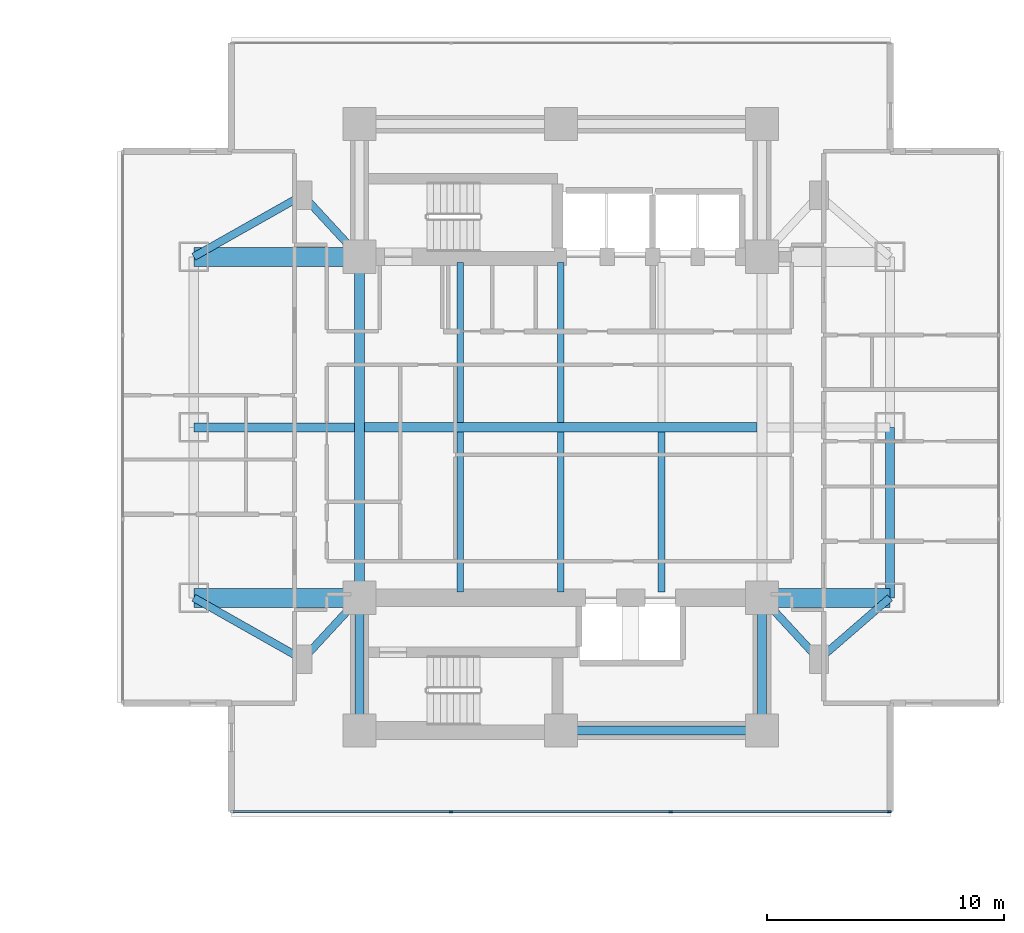
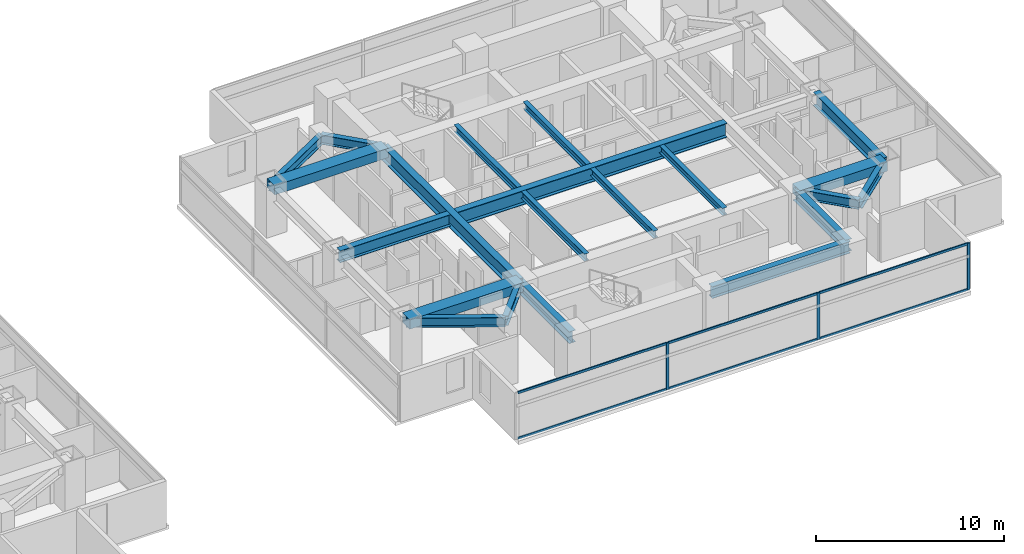
# One storey, part 9 of 25: 21 beams, 9 members, 1 element without a shape of its own.
"""IFC4 building model written with IfcOpenShell, lengths in metres."""

from ifc_helpers import new_model, si_unit, direction, frame, origin, origin_2d, place, context, subcontext, project, spatial, rectangle, i_section, extrude, material, material_profile, profile_set, type_object, element, aggregate, save


model = new_model("IFC4")

# Units and contexts
model_context = context("Model", 3, precision=1e-05, world=origin(), true_north=direction((0.0, 1.0)))
body_context = subcontext(model_context, "Body", "Model", "MODEL_VIEW")
ifc_project = project(units=[si_unit("LENGTHUNIT", "METRE"), si_unit("AREAUNIT", "SQUARE_METRE"), si_unit("VOLUMEUNIT", "CUBIC_METRE"), si_unit("PLANEANGLEUNIT", "RADIAN"), si_unit("MASSUNIT", "GRAM", prefix="KILO")], contexts=[model_context])

# Site, building, storey
site_placement = place(None, origin())
site = spatial("IfcSite", under=ifc_project, at=site_placement, CompositionType="ELEMENT")
building_placement = place(site_placement, origin())
building = spatial("IfcBuilding", under=site, at=building_placement, Name="Mirazonda Arch Towers", CompositionType="ELEMENT")
storey_placement = place(building_placement, frame((0.0, 0.0, 32.300048828125)))
storey = spatial("IfcBuildingStorey", under=building, at=storey_placement, Name="L08", CompositionType="ELEMENT", Elevation=32.300048828125)

# Beams
ifc_material_1 = material(Name="Steel ASTM A992 Grade 50", Category="steel")
ifc_material_profile_1 = material_profile(ifc_material_1, i_section(OverallWidth=0.39990234375, OverallDepth=0.85595703125, WebThickness=0.018310546875, FlangeThickness=0.029296875, at=origin_2d()), Name="W33X201")
ifc_profile_set_1 = profile_set([ifc_material_profile_1], Name="Steel ASTM A992 Grade 50")
beam_type_1 = type_object("IfcBeamType", Name="BM-EXT-W33X201", PredefinedType="USERDEFINED", material=ifc_profile_set_1)
beam_1_placement = place(storey_placement, frame((90.39990234375, 20.800048828125, 2.6318359375), z_axis=(0.0, 1.0, 0.0), x_axis=(-1.0, 0.0, 0.0)))
element("IfcBeam", 1, at=beam_1_placement, inside=storey, type_object=beam_type_1, Name="L08 Floor Beam BM-T2-L08-NS-E-20", ObjectType="GIRDER", PredefinedType="USERDEFINED", context=body_context, shape_type="SweptSolid", body=[
    extrude(i_section(OverallWidth=0.39990234375, OverallDepth=0.85595703125, WebThickness=0.018310546875, FlangeThickness=0.029296875, at=origin_2d()), origin(), (0.0, 0.0, 1.0), 7.199951171875),
])
ifc_material_profile_2 = material_profile(ifc_material_1, i_section(OverallWidth=0.280029296875, OverallDepth=0.462890625, WebThickness=0.0107421875, FlangeThickness=0.017333984375, at=origin_2d()), Name="W18X76")
ifc_profile_set_2 = profile_set([ifc_material_profile_2], Name="Steel ASTM A992 Grade 50")
beam_type_2 = type_object("IfcBeamType", Name="BM-INT-W18X76", PredefinedType="JOIST", material=ifc_profile_set_2)
for number, where, z_axis, x_axis, name in (
    (2, (72.25, 21.0400390625, 2.828369140625), (0.0, 1.0, 0.0), (-1.0, 0.0, 0.0), "L08 Floor Beam BM-T2-L08-J-722-20"),
    (3, (72.25, 28.205078125, 2.828369140625), (0.0, 1.0, 0.0), (-1.0, 0.0, 0.0), "L08 Floor Beam BM-T2-L08-J-722-28"),
    (4, (76.5, 21.0400390625, 2.828369140625), (0.0, 1.0, 0.0), (-1.0, 0.0, 0.0), "L08 Floor Beam BM-T2-L08-J-765-20"),
    (5, (76.5, 28.205078125, 2.828369140625), (0.0, 1.0, 0.0), (-1.0, 0.0, 0.0), "L08 Floor Beam BM-T2-L08-J-765-28"),
    (6, (80.75, 21.0400390625, 2.828369140625), (0.0, 1.0, 0.0), (-1.0, 0.0, 0.0), "L08 Floor Beam BM-T2-L08-J-807-20"),
):
    element("IfcBeam", number, at=place(storey_placement, frame(where, z_axis=z_axis, x_axis=x_axis)), inside=storey, type_object=beam_type_2, Name=name, PredefinedType="JOIST", context=body_context, shape_type="SweptSolid", body=[
        extrude(i_section(OverallWidth=0.280029296875, OverallDepth=0.462890625, WebThickness=0.0107421875, FlangeThickness=0.017333984375, at=origin_2d()), origin(), (0.0, 0.0, 1.0), 6.7548828125),
    ])
ifc_material_profile_3 = material_profile(ifc_material_1, i_section(OverallWidth=0.324951171875, OverallDepth=0.615966796875, WebThickness=0.013916015625, FlangeThickness=0.021484375, at=origin_2d()), Name="W24X117")
ifc_profile_set_3 = profile_set([ifc_material_profile_3], Name="Steel ASTM A992 Grade 50")
beam_type_3 = type_object("IfcBeamType", Name="BM-INT-W24X117", PredefinedType="BEAM", material=ifc_profile_set_3)
beam_2_placement = place(storey_placement, frame((65.60009765625, 18.199951171875, 2.751953125), z_axis=(0.678251444854, 0.734829897019, 0.0), x_axis=(-0.734829897019, 0.678251444854, 0.0)))
element("IfcBeam", 7, at=beam_2_placement, inside=storey, type_object=beam_type_3, Name="L08 Floor Beam BM-T2-L08-PL-SW1", PredefinedType="BEAM", context=body_context, shape_type="SweptSolid", body=[
    extrude(i_section(OverallWidth=0.324951171875, OverallDepth=0.615966796875, WebThickness=0.013916015625, FlangeThickness=0.021484375, at=origin_2d()), origin(), (0.0, 0.0, 1.0), 3.538330078125),
])
beam_3_placement = place(storey_placement, frame((65.60009765625, 18.199951171875, 2.751953125), z_axis=(-0.870559396632, 0.492063346467, 0.0), x_axis=(-0.492063346467, -0.870559396632, 0.0)))
element("IfcBeam", 8, at=beam_3_placement, inside=storey, type_object=beam_type_3, Name="L08 Floor Beam BM-T2-L08-PL-SW2", PredefinedType="BEAM", context=body_context, shape_type="SweptSolid", body=[
    extrude(i_section(OverallWidth=0.324951171875, OverallDepth=0.615966796875, WebThickness=0.013916015625, FlangeThickness=0.021484375, at=origin_2d()), origin(), (0.0, 0.0, 1.0), 5.2841796875),
])
beam_4_placement = place(storey_placement, frame((87.39990234375, 18.199951171875, 2.751953125), z_axis=(-0.678251444854, 0.734829897019, 0.0), x_axis=(-0.734829897019, -0.678251444854, 0.0)))
element("IfcBeam", 9, at=beam_4_placement, inside=storey, type_object=beam_type_3, Name="L08 Floor Beam BM-T2-L08-PL-SE1", PredefinedType="BEAM", context=body_context, shape_type="SweptSolid", body=[
    extrude(i_section(OverallWidth=0.324951171875, OverallDepth=0.615966796875, WebThickness=0.013916015625, FlangeThickness=0.021484375, at=origin_2d()), origin(), (0.0, 0.0, 1.0), 3.538330078125),
])
beam_5_placement = place(storey_placement, frame((87.39990234375, 18.199951171875, 2.751953125), z_axis=(0.755676908098, 0.654944585876, 0.0), x_axis=(-0.654944585876, 0.755676908098, 0.0)))
element("IfcBeam", 10, at=beam_5_placement, inside=storey, type_object=beam_type_3, Name="L08 Floor Beam BM-T2-L08-PL-SE2", PredefinedType="BEAM", context=body_context, shape_type="SweptSolid", body=[
    extrude(i_section(OverallWidth=0.324951171875, OverallDepth=0.615966796875, WebThickness=0.013916015625, FlangeThickness=0.021484375, at=origin_2d()), origin(), (0.0, 0.0, 1.0), 3.969970703125),
])
beam_6_placement = place(storey_placement, frame((65.60009765625, 37.800048828125, 2.751953125), z_axis=(0.678251444854, -0.734829897019, 0.0), x_axis=(0.734829897019, 0.678251444854, 0.0)))
element("IfcBeam", 11, at=beam_6_placement, inside=storey, type_object=beam_type_3, Name="L08 Floor Beam BM-T2-L08-PL-NW1", PredefinedType="BEAM", context=body_context, shape_type="SweptSolid", body=[
    extrude(i_section(OverallWidth=0.324951171875, OverallDepth=0.615966796875, WebThickness=0.013916015625, FlangeThickness=0.021484375, at=origin_2d()), origin(), (0.0, 0.0, 1.0), 3.538330078125),
])
beam_7_placement = place(storey_placement, frame((65.60009765625, 37.800048828125, 2.751953125), z_axis=(-0.870559396632, -0.492063346467, 0.0), x_axis=(0.492063346467, -0.870559396632, 0.0)))
element("IfcBeam", 12, at=beam_7_placement, inside=storey, type_object=beam_type_3, Name="L08 Floor Beam BM-T2-L08-PL-NW2", PredefinedType="BEAM", context=body_context, shape_type="SweptSolid", body=[
    extrude(i_section(OverallWidth=0.324951171875, OverallDepth=0.615966796875, WebThickness=0.013916015625, FlangeThickness=0.021484375, at=origin_2d()), origin(), (0.0, 0.0, 1.0), 5.2841796875),
])
ifc_material_profile_4 = material_profile(ifc_material_1, i_section(OverallWidth=0.381103515625, OverallDepth=0.77294921875, WebThickness=0.0166015625, FlangeThickness=0.027099609375, at=origin_2d()), Name="W30X173")
ifc_profile_set_4 = profile_set([ifc_material_profile_4], Name="Steel ASTM A992 Grade 50")
beam_type_4 = type_object("IfcBeamType", Name="BM-INT-W30X173", PredefinedType="USERDEFINED", material=ifc_profile_set_4)
beam_8_placement = place(storey_placement, frame((76.5, 15.199951171875, 2.67333984375), z_axis=(1.0, 0.0, 0.0), x_axis=(0.0, 1.0, 0.0)))
element("IfcBeam", 13, at=beam_8_placement, inside=storey, type_object=beam_type_4, Name="L08 Floor Beam BM-T2-L08-CS2", ObjectType="GIRDER", PredefinedType="USERDEFINED", context=body_context, shape_type="SweptSolid", body=[
    extrude(i_section(OverallWidth=0.381103515625, OverallDepth=0.77294921875, WebThickness=0.0166015625, FlangeThickness=0.027099609375, at=origin_2d()), origin(), (0.0, 0.0, 1.0), 8.5),
])
for number, where, z_axis, x_axis, name in (
    (14, (68.0, 15.199951171875, 2.67333984375), (0.0, 1.0, 0.0), (-1.0, 0.0, 0.0), "L08 Floor Beam BM-T2-L08-CSW"),
    (15, (85.0, 15.199951171875, 2.67333984375), (0.0, 1.0, 0.0), (-1.0, 0.0, 0.0), "L08 Floor Beam BM-T2-L08-CSE"),
):
    element("IfcBeam", number, at=place(storey_placement, frame(where, z_axis=z_axis, x_axis=x_axis)), inside=storey, type_object=beam_type_4, Name=name, ObjectType="GIRDER", PredefinedType="USERDEFINED", context=body_context, shape_type="SweptSolid", body=[
        extrude(i_section(OverallWidth=0.381103515625, OverallDepth=0.77294921875, WebThickness=0.0166015625, FlangeThickness=0.027099609375, at=origin_2d()), origin(), (0.0, 0.0, 1.0), 5.60009765625),
    ])
beam_9_placement = place(storey_placement, frame((61.0, 28.0, 2.67333984375), z_axis=(1.0, 0.0, 0.0), x_axis=(0.0, 1.0, 0.0)))
element("IfcBeam", 16, at=beam_9_placement, inside=storey, type_object=beam_type_4, Name="L08 Floor Beam BM-T2-L08-GW2", ObjectType="GIRDER", PredefinedType="USERDEFINED", context=body_context, shape_type="SweptSolid", body=[
    extrude(i_section(OverallWidth=0.381103515625, OverallDepth=0.77294921875, WebThickness=0.0166015625, FlangeThickness=0.027099609375, at=origin_2d()), origin(), (0.0, 0.0, 1.0), 6.791015625),
])
ifc_material_profile_5 = material_profile(ifc_material_1, i_section(OverallWidth=0.41796875, OverallDepth=0.927001953125, WebThickness=0.019287109375, FlangeThickness=0.031982421875, at=origin_2d()), Name="W36X231")
ifc_profile_set_5 = profile_set([ifc_material_profile_5], Name="Steel ASTM A992 Grade 50")
beam_type_5 = type_object("IfcBeamType", Name="BM-INT-W36X231", PredefinedType="USERDEFINED", material=ifc_profile_set_5)
beam_10_placement = place(storey_placement, frame((68.208984375, 28.0, 2.596435546875), z_axis=(1.0, 0.0, 0.0), x_axis=(0.0, 1.0, 0.0)))
element("IfcBeam", 17, at=beam_10_placement, inside=storey, type_object=beam_type_5, Name="L08 Floor Beam BM-T2-L08-GC2", ObjectType="GIRDER", PredefinedType="USERDEFINED", context=body_context, shape_type="SweptSolid", body=[
    extrude(i_section(OverallWidth=0.41796875, OverallDepth=0.927001953125, WebThickness=0.019287109375, FlangeThickness=0.031982421875, at=origin_2d()), origin(), (0.0, 0.0, 1.0), 16.58203125),
])
beam_11_placement = place(storey_placement, frame((68.0, 20.800048828125, 2.596435546875), z_axis=(0.0, 1.0, 0.0), x_axis=(-1.0, 0.0, 0.0)))
element("IfcBeam", 18, at=beam_11_placement, inside=storey, type_object=beam_type_5, Name="L08 Floor Beam BM-T2-L08-NS-CW-FULL", ObjectType="GIRDER", PredefinedType="USERDEFINED", context=body_context, shape_type="SweptSolid", body=[
    extrude(i_section(OverallWidth=0.41796875, OverallDepth=0.927001953125, WebThickness=0.019287109375, FlangeThickness=0.031982421875, at=origin_2d()), origin(), (0.0, 0.0, 1.0), 14.39990234375),
])
ifc_material_2 = material(Name="Concrete C60/75", Category="concrete")
ifc_material_profile_6 = material_profile(ifc_material_2, rectangle(XDim=0.800048828125, YDim=0.60009765625, at=origin_2d()), Name="RCCB800x600")
ifc_profile_set_6 = profile_set([ifc_material_profile_6], Name="Concrete C60/75")
beam_type_6 = type_object("IfcBeamType", Name="CB-INT-RCCB800x600", PredefinedType="SPANDREL", material=ifc_profile_set_6)
for number, where, z_axis, x_axis, name in (
    (19, (61.0, 35.199951171875, 2.760009765625), (1.0, 0.0, 0.0), (0.0, 1.0, 0.0), "L08 Floor Beam CBC-T2-L08-NW"),
    (20, (61.0, 20.800048828125, 2.760009765625), (1.0, 0.0, 0.0), (0.0, 1.0, 0.0), "L08 Floor Beam CBC-T2-L08-SW"),
):
    element("IfcBeam", number, at=place(storey_placement, frame(where, z_axis=z_axis, x_axis=x_axis)), inside=storey, type_object=beam_type_6, Name=name, PredefinedType="SPANDREL", context=body_context, shape_type="SweptSolid", body=[
        extrude(rectangle(XDim=0.800048828125, YDim=0.60009765625, at=origin_2d()), origin(), (0.0, 0.0, 1.0), 7.0),
    ])
beam_12_placement = place(storey_placement, frame((85.0, 20.800048828125, 2.760009765625), z_axis=(1.0, 0.0, 0.0), x_axis=(0.0, 1.0, 0.0)))
element("IfcBeam", 21, at=beam_12_placement, inside=storey, type_object=beam_type_6, Name="L08 Floor Beam CBC-T2-L08-SE", PredefinedType="SPANDREL", context=body_context, shape_type="SweptSolid", body=[
    extrude(rectangle(XDim=0.800048828125, YDim=0.60009765625, at=origin_2d()), origin(), (0.0, 0.0, 1.0), 5.39990234375),
])

# Curtain wall, members
ifc_material_3 = material(Name="Anodised Aluminium and Low-E Glass", Category="aluminium")
curtain_wall_type = type_object("IfcCurtainWallType", Name="CW-HTL-UNIT", PredefinedType="NOTDEFINED", material=ifc_material_3)
curtain_wall_placement = place(storey_placement, origin())
curtain_wall = element("IfcCurtainWall", 22, at=curtain_wall_placement, inside=storey, type_object=curtain_wall_type, Name="L08 T2 S Facade CW-L08-T2-S", PredefinedType="NOTDEFINED")
ifc_material_4 = material(Name="Anodised Aluminium Alloy", Category="aluminium")
ifc_material_profile_7 = material_profile(ifc_material_4, rectangle(XDim=0.074951171875, YDim=0.1650390625, at=origin_2d()), Name="ALU-MULL-75x165")
ifc_profile_set_7 = profile_set([ifc_material_profile_7], Name="Anodised Aluminium Alloy")
member_type_1 = type_object("IfcMemberType", Name="MULL-CW-HTL-UNIT", PredefinedType="MULLION", material=ifc_profile_set_7)
member_1_placement = place(storey_placement, frame((90.37646484375, 11.77001953125, 0.0), z_axis=(0.0, 0.0, 1.0), x_axis=(0.0, -1.0, 0.0)))
member_1 = element("IfcMember", 23, at=member_1_placement, type_object=member_type_1, Name="CW-112 mullion 1", PredefinedType="MULLION", context=body_context, shape_type="SweptSolid", body=[
    extrude(rectangle(XDim=0.074951171875, YDim=0.1650390625, at=origin_2d()), origin(), (0.0, 0.0, 1.0), 3.0400390625),
])
member_2_placement = place(storey_placement, frame((81.137939453125, 11.77001953125, 0.0), z_axis=(0.0, 0.0, 1.0), x_axis=(0.0, -1.0, 0.0)))
member_2 = element("IfcMember", 24, at=member_2_placement, type_object=member_type_1, Name="CW-112 mullion 2", PredefinedType="MULLION", context=body_context, shape_type="SweptSolid", body=[
    extrude(rectangle(XDim=0.074951171875, YDim=0.1650390625, at=origin_2d()), origin(), (0.0, 0.0, 1.0), 3.0400390625),
])
member_3_placement = place(storey_placement, frame((71.862060546875, 11.77001953125, 0.0), z_axis=(0.0, 0.0, 1.0), x_axis=(0.0, -1.0, 0.0)))
member_3 = element("IfcMember", 25, at=member_3_placement, type_object=member_type_1, Name="CW-112 mullion 3", PredefinedType="MULLION", context=body_context, shape_type="SweptSolid", body=[
    extrude(rectangle(XDim=0.074951171875, YDim=0.1650390625, at=origin_2d()), origin(), (0.0, 0.0, 1.0), 3.0400390625),
])
ifc_material_profile_8 = material_profile(ifc_material_4, rectangle(XDim=0.074951171875, YDim=0.14501953125, at=origin_2d()), Name="ALU-TRAN-75x145")
ifc_profile_set_8 = profile_set([ifc_material_profile_8], Name="Anodised Aluminium Alloy")
member_type_2 = type_object("IfcMemberType", Name="TRAN-CW-HTL-UNIT", PredefinedType="USERDEFINED", material=ifc_profile_set_8)
member_4_placement = place(storey_placement, frame((90.339111328125, 11.77001953125, 0.037353515625), z_axis=(-1.0, 0.0, 0.0), x_axis=(0.0, -1.0, 0.0)))
member_4 = element("IfcMember", 26, at=member_4_placement, type_object=member_type_2, Name="CW-112 transom 1.1", ObjectType="TRANSOM", PredefinedType="USERDEFINED", context=body_context, shape_type="SweptSolid", body=[
    extrude(rectangle(XDim=0.074951171875, YDim=0.14501953125, at=origin_2d()), origin(), (0.0, 0.0, 1.0), 9.16357421875),
])
member_5_placement = place(storey_placement, frame((90.339111328125, 11.77001953125, 3.00244140625), z_axis=(-1.0, 0.0, 0.0), x_axis=(0.0, -1.0, 0.0)))
member_5 = element("IfcMember", 27, at=member_5_placement, type_object=member_type_2, Name="CW-112 transom 1.2", ObjectType="TRANSOM", PredefinedType="USERDEFINED", context=body_context, shape_type="SweptSolid", body=[
    extrude(rectangle(XDim=0.074951171875, YDim=0.14501953125, at=origin_2d()), origin(), (0.0, 0.0, 1.0), 9.16357421875),
])
member_6_placement = place(storey_placement, frame((81.1005859375, 11.77001953125, 0.037353515625), z_axis=(-1.0, 0.0, 0.0), x_axis=(0.0, -1.0, 0.0)))
member_6 = element("IfcMember", 28, at=member_6_placement, type_object=member_type_2, Name="CW-112 transom 2.1", ObjectType="TRANSOM", PredefinedType="USERDEFINED", context=body_context, shape_type="SweptSolid", body=[
    extrude(rectangle(XDim=0.074951171875, YDim=0.14501953125, at=origin_2d()), origin(), (0.0, 0.0, 1.0), 9.201171875),
])
member_7_placement = place(storey_placement, frame((81.1005859375, 11.77001953125, 3.00244140625), z_axis=(-1.0, 0.0, 0.0), x_axis=(0.0, -1.0, 0.0)))
member_7 = element("IfcMember", 29, at=member_7_placement, type_object=member_type_2, Name="CW-112 transom 2.2", ObjectType="TRANSOM", PredefinedType="USERDEFINED", context=body_context, shape_type="SweptSolid", body=[
    extrude(rectangle(XDim=0.074951171875, YDim=0.14501953125, at=origin_2d()), origin(), (0.0, 0.0, 1.0), 9.201171875),
])
member_8_placement = place(storey_placement, frame((71.824462890625, 11.77001953125, 0.037353515625), z_axis=(-1.0, 0.0, 0.0), x_axis=(0.0, -1.0, 0.0)))
member_8 = element("IfcMember", 30, at=member_8_placement, type_object=member_type_2, Name="CW-112 transom 3.1", ObjectType="TRANSOM", PredefinedType="USERDEFINED", context=body_context, shape_type="SweptSolid", body=[
    extrude(rectangle(XDim=0.074951171875, YDim=0.14501953125, at=origin_2d()), origin(), (0.0, 0.0, 1.0), 9.16357421875),
])
member_9_placement = place(storey_placement, frame((71.824462890625, 11.77001953125, 3.00244140625), z_axis=(-1.0, 0.0, 0.0), x_axis=(0.0, -1.0, 0.0)))
member_9 = element("IfcMember", 31, at=member_9_placement, type_object=member_type_2, Name="CW-112 transom 3.2", ObjectType="TRANSOM", PredefinedType="USERDEFINED", context=body_context, shape_type="SweptSolid", body=[
    extrude(rectangle(XDim=0.074951171875, YDim=0.14501953125, at=origin_2d()), origin(), (0.0, 0.0, 1.0), 9.16357421875),
])
aggregate(curtain_wall, [member_1, member_2, member_3, member_4, member_5, member_6, member_7, member_8, member_9])

save(model, "model.ifc")
